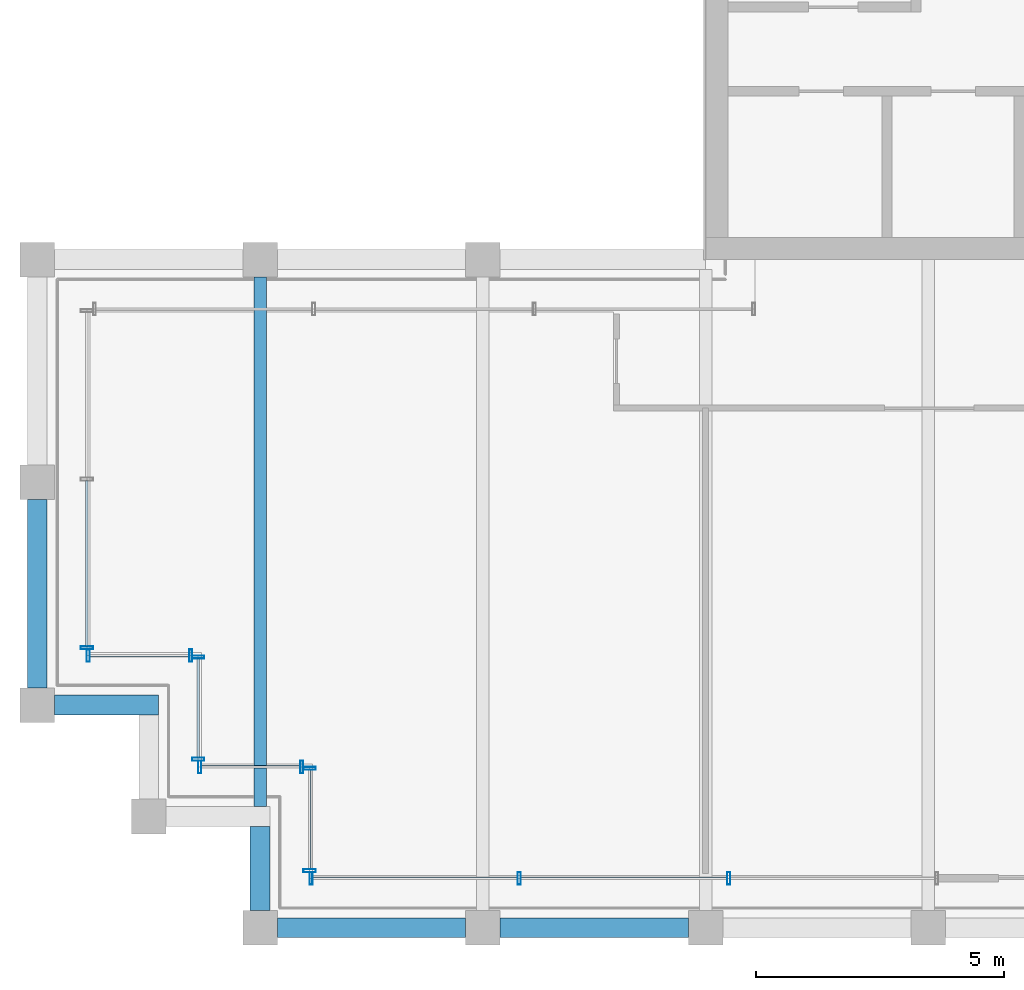
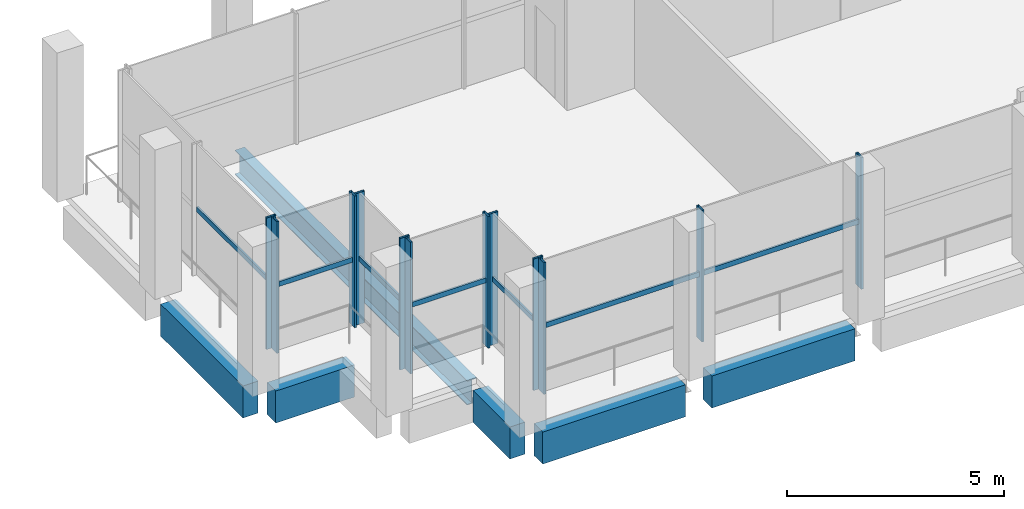
# One storey, part 2 of 17: 19 members, 6 beams, 6 elements without a shape of their own.
"""IFC4 building model written with IfcOpenShell, lengths in metres."""

from ifc_helpers import new_model, si_unit, direction, frame, origin, origin_2d, place, context, subcontext, project, spatial, rectangle, hollow_rectangle, i_section, extrude, material, material_profile, profile_set, type_object, element, aggregate, save


model = new_model("IFC4")

# Units and contexts
model_context = context("Model", 3, precision=1e-05, world=origin(), true_north=direction((0.0, 1.0)))
body_context = subcontext(model_context, "Body", "Model", "MODEL_VIEW")
ifc_project = project(units=[si_unit("LENGTHUNIT", "METRE"), si_unit("AREAUNIT", "SQUARE_METRE"), si_unit("VOLUMEUNIT", "CUBIC_METRE"), si_unit("PLANEANGLEUNIT", "RADIAN"), si_unit("MASSUNIT", "GRAM", prefix="KILO")], contexts=[model_context])

# Site, building, storey
site_placement = place(None, origin())
site = spatial("IfcSite", under=ifc_project, at=site_placement, CompositionType="ELEMENT")
building_placement = place(site_placement, origin())
building = spatial("IfcBuilding", under=site, at=building_placement, Name="Altepetl Exchange Towers", CompositionType="ELEMENT")
storey_placement = place(building_placement, frame((0.0, 0.0, 259.39990234375)))
storey = spatial("IfcBuildingStorey", under=building, at=storey_placement, Name="L66", CompositionType="ELEMENT", Elevation=259.39990234375)

# Beam
ifc_material_1 = material(Name="Steel S355", Category="steel")
ifc_material_profile_1 = material_profile(ifc_material_1, i_section(OverallWidth=0.25390625, OverallDepth=0.68408203125, WebThickness=0.012451171875, FlangeThickness=0.018798828125, at=origin_2d()), Name="W27X94")
ifc_profile_set_1 = profile_set([ifc_material_profile_1], Name="Steel S355")
beam_type_1 = type_object("IfcBeamType", Name="Floor beam W27X94", PredefinedType="BEAM", material=ifc_profile_set_1)
beam_1_placement = place(storey_placement, frame((31.5, 29.449951171875, -0.516845703125), z_axis=(0.0, 1.0, 0.0), x_axis=(-1.0, 0.0, 0.0)))
element("IfcBeam", 1, at=beam_1_placement, inside=storey, type_object=beam_type_1, Name="bm:A:L66:012", PredefinedType="BEAM", context=body_context, shape_type="SweptSolid", body=[
    extrude(i_section(OverallWidth=0.25390625, OverallDepth=0.68408203125, WebThickness=0.012451171875, FlangeThickness=0.018798828125, at=origin_2d()), origin(), (0.0, 0.0, 1.0), 10.699951171875),
])

# Curtain wall, member
ifc_material_2 = material(Name="Aluminium 6063-T6 glazing", Category="aluminium")
curtain_wall_type = type_object("IfcCurtainWallType", Name="Executive flush glazing system", PredefinedType="NOTDEFINED", material=ifc_material_2)
curtain_wall_1_placement = place(storey_placement, origin())
curtain_wall_1 = element("IfcCurtainWall", 2, at=curtain_wall_1_placement, inside=storey, type_object=curtain_wall_type, Name="CW4 run", PredefinedType="NOTDEFINED")
ifc_material_3 = material(Name="Aluminium 6063-T6", Category="aluminium")
ifc_material_profile_2 = material_profile(ifc_material_3, hollow_rectangle(XDim=0.06005859375, YDim=0.25, WallThickness=0.0029296875, at=origin_2d()), Name="Mullion 60x250 hollow aluminium")
ifc_profile_set_2 = profile_set([ifc_material_profile_2], Name="Aluminium 6063-T6")
member_type_1 = type_object("IfcMemberType", Name="Mullion 60x250 hollow aluminium", PredefinedType="MULLION", material=ifc_profile_set_2)
member_1_placement = place(storey_placement, frame((28.0, 32.655029296875, 0.0), z_axis=(0.0, 0.0, 1.0), x_axis=(0.0, -1.0, 0.0)))
member_1 = element("IfcMember", 3, at=member_1_placement, type_object=member_type_1, Name="MU3 mullion", PredefinedType="MULLION", context=body_context, shape_type="SweptSolid", body=[
    extrude(hollow_rectangle(XDim=0.06005859375, YDim=0.25, WallThickness=0.0029296875, at=origin_2d()), origin(), (0.0, 0.0, 1.0), 3.7001953125),
])

# Curtain wall, members
curtain_wall_2_placement = place(storey_placement, origin())
curtain_wall_2 = element("IfcCurtainWall", 4, at=curtain_wall_2_placement, inside=storey, type_object=curtain_wall_type, Name="CW4 run", PredefinedType="NOTDEFINED")
member_2_placement = place(storey_placement, frame((28.030029296875, 32.5, 0.0)))
member_2 = element("IfcMember", 5, at=member_2_placement, type_object=member_type_1, Name="MU3 mullion", PredefinedType="MULLION", context=body_context, shape_type="SweptSolid", body=[
    extrude(hollow_rectangle(XDim=0.06005859375, YDim=0.25, WallThickness=0.0029296875, at=origin_2d()), origin(), (0.0, 0.0, 1.0), 3.7001953125),
])
member_3_placement = place(storey_placement, frame((30.094970703125, 32.5, 0.0)))
member_3 = element("IfcMember", 6, at=member_3_placement, type_object=member_type_1, Name="MU3 mullion", PredefinedType="MULLION", context=body_context, shape_type="SweptSolid", body=[
    extrude(hollow_rectangle(XDim=0.06005859375, YDim=0.25, WallThickness=0.0029296875, at=origin_2d()), origin(), (0.0, 0.0, 1.0), 3.7001953125),
])

curtain_wall_3_placement = place(storey_placement, origin())
curtain_wall_3 = element("IfcCurtainWall", 7, at=curtain_wall_3_placement, inside=storey, type_object=curtain_wall_type, Name="CW4 run", PredefinedType="NOTDEFINED")
member_4_placement = place(storey_placement, frame((30.25, 32.469970703125, 0.0), z_axis=(0.0, 0.0, 1.0), x_axis=(0.0, -1.0, 0.0)))
member_4 = element("IfcMember", 8, at=member_4_placement, type_object=member_type_1, Name="MU3 mullion", PredefinedType="MULLION", context=body_context, shape_type="SweptSolid", body=[
    extrude(hollow_rectangle(XDim=0.06005859375, YDim=0.25, WallThickness=0.0029296875, at=origin_2d()), origin(), (0.0, 0.0, 1.0), 3.7001953125),
])
member_5_placement = place(storey_placement, frame((30.25, 30.405029296875, 0.0), z_axis=(0.0, 0.0, 1.0), x_axis=(0.0, -1.0, 0.0)))
member_5 = element("IfcMember", 9, at=member_5_placement, type_object=member_type_1, Name="MU3 mullion", PredefinedType="MULLION", context=body_context, shape_type="SweptSolid", body=[
    extrude(hollow_rectangle(XDim=0.06005859375, YDim=0.25, WallThickness=0.0029296875, at=origin_2d()), origin(), (0.0, 0.0, 1.0), 3.7001953125),
])

curtain_wall_4_placement = place(storey_placement, origin())
curtain_wall_4 = element("IfcCurtainWall", 10, at=curtain_wall_4_placement, inside=storey, type_object=curtain_wall_type, Name="CW4 run", PredefinedType="NOTDEFINED")
member_6_placement = place(storey_placement, frame((30.280029296875, 30.25, 0.0)))
member_6 = element("IfcMember", 11, at=member_6_placement, type_object=member_type_1, Name="MU3 mullion", PredefinedType="MULLION", context=body_context, shape_type="SweptSolid", body=[
    extrude(hollow_rectangle(XDim=0.06005859375, YDim=0.25, WallThickness=0.0029296875, at=origin_2d()), origin(), (0.0, 0.0, 1.0), 3.7001953125),
])
member_7_placement = place(storey_placement, frame((32.344970703125, 30.25, 0.0)))
member_7 = element("IfcMember", 12, at=member_7_placement, type_object=member_type_1, Name="MU3 mullion", PredefinedType="MULLION", context=body_context, shape_type="SweptSolid", body=[
    extrude(hollow_rectangle(XDim=0.06005859375, YDim=0.25, WallThickness=0.0029296875, at=origin_2d()), origin(), (0.0, 0.0, 1.0), 3.7001953125),
])

curtain_wall_5_placement = place(storey_placement, origin())
curtain_wall_5 = element("IfcCurtainWall", 13, at=curtain_wall_5_placement, inside=storey, type_object=curtain_wall_type, Name="CW4 run", PredefinedType="NOTDEFINED")
member_8_placement = place(storey_placement, frame((32.5, 30.219970703125, 0.0), z_axis=(0.0, 0.0, 1.0), x_axis=(0.0, -1.0, 0.0)))
member_8 = element("IfcMember", 14, at=member_8_placement, type_object=member_type_1, Name="MU3 mullion", PredefinedType="MULLION", context=body_context, shape_type="SweptSolid", body=[
    extrude(hollow_rectangle(XDim=0.06005859375, YDim=0.25, WallThickness=0.0029296875, at=origin_2d()), origin(), (0.0, 0.0, 1.0), 3.7001953125),
])
member_9_placement = place(storey_placement, frame((32.5, 28.155029296875, 0.0), z_axis=(0.0, 0.0, 1.0), x_axis=(0.0, -1.0, 0.0)))
member_9 = element("IfcMember", 15, at=member_9_placement, type_object=member_type_1, Name="MU3 mullion", PredefinedType="MULLION", context=body_context, shape_type="SweptSolid", body=[
    extrude(hollow_rectangle(XDim=0.06005859375, YDim=0.25, WallThickness=0.0029296875, at=origin_2d()), origin(), (0.0, 0.0, 1.0), 3.7001953125),
])

curtain_wall_6_placement = place(storey_placement, origin())
curtain_wall_6 = element("IfcCurtainWall", 16, at=curtain_wall_6_placement, inside=storey, type_object=curtain_wall_type, Name="CW4 run", PredefinedType="NOTDEFINED")
member_10_placement = place(storey_placement, frame((32.530029296875, 28.0, 0.0)))
member_10 = element("IfcMember", 17, at=member_10_placement, type_object=member_type_1, Name="MU3 mullion", PredefinedType="MULLION", context=body_context, shape_type="SweptSolid", body=[
    extrude(hollow_rectangle(XDim=0.06005859375, YDim=0.25, WallThickness=0.0029296875, at=origin_2d()), origin(), (0.0, 0.0, 1.0), 3.7001953125),
])
member_11_placement = place(storey_placement, frame((36.734375, 28.0, 0.0)))
member_11 = element("IfcMember", 18, at=member_11_placement, type_object=member_type_1, Name="MU3 mullion", PredefinedType="MULLION", context=body_context, shape_type="SweptSolid", body=[
    extrude(hollow_rectangle(XDim=0.06005859375, YDim=0.25, WallThickness=0.0029296875, at=origin_2d()), origin(), (0.0, 0.0, 1.0), 3.7001953125),
])
member_12_placement = place(storey_placement, frame((40.96875, 28.0, 0.0)))
member_12 = element("IfcMember", 19, at=member_12_placement, type_object=member_type_1, Name="MU3 mullion", PredefinedType="MULLION", context=body_context, shape_type="SweptSolid", body=[
    extrude(hollow_rectangle(XDim=0.06005859375, YDim=0.25, WallThickness=0.0029296875, at=origin_2d()), origin(), (0.0, 0.0, 1.0), 3.7001953125),
])

# Beams
ifc_material_4 = material(Name="Concrete C50/60 precast with cantera blanca facing", Category="concrete")
ifc_material_profile_3 = material_profile(ifc_material_4, rectangle(XDim=0.39990234375, YDim=0.89990234375, at=origin_2d()), Name="400 x 900")
ifc_profile_set_3 = profile_set([ifc_material_profile_3], Name="Concrete C50/60 precast with cantera blanca facing")
beam_type_2 = type_object("IfcBeamType", Name="Spandrel beam 400x900 cantera blanca", PredefinedType="SPANDREL", material=ifc_profile_set_3)
for number, where, z_axis, x_axis, name in (
    (20, (31.85009765625, 27.0, -0.625), (1.0, 0.0, 0.0), (0.0, 1.0, 0.0), "sp:A:L66:000"),
    (21, (36.35009765625, 27.0, -0.625), (1.0, 0.0, 0.0), (0.0, 1.0, 0.0), "sp:A:L66:001"),
    (22, (27.0, 35.64990234375, -0.625), (0.0, -1.0, 0.0), (1.0, 0.0, 0.0), "sp:A:L66:037"),
):
    element("IfcBeam", number, at=place(storey_placement, frame(where, z_axis=z_axis, x_axis=x_axis)), inside=storey, type_object=beam_type_2, Name=name, PredefinedType="SPANDREL", context=body_context, shape_type="SweptSolid", body=[
        extrude(rectangle(XDim=0.39990234375, YDim=0.89990234375, at=origin_2d()), origin(), (0.0, 0.0, 1.0), 3.7998046875),
    ])
beam_2_placement = place(storey_placement, frame((27.35009765625, 31.5, -0.625), z_axis=(1.0, 0.0, 0.0), x_axis=(0.0, 1.0, 0.0)))
element("IfcBeam", 23, at=beam_2_placement, inside=storey, type_object=beam_type_2, Name="sp:A:L66:038", PredefinedType="SPANDREL", context=body_context, shape_type="SweptSolid", body=[
    extrude(rectangle(XDim=0.39990234375, YDim=0.89990234375, at=origin_2d()), origin(), (0.0, 0.0, 1.0), 2.099853515625),
])
beam_3_placement = place(storey_placement, frame((31.5, 29.050048828125, -0.625), z_axis=(0.0, -1.0, 0.0), x_axis=(1.0, 0.0, 0.0)))
element("IfcBeam", 24, at=beam_3_placement, inside=storey, type_object=beam_type_2, Name="sp:A:L66:041", PredefinedType="SPANDREL", context=body_context, shape_type="SweptSolid", body=[
    extrude(rectangle(XDim=0.39990234375, YDim=0.89990234375, at=origin_2d()), origin(), (0.0, 0.0, 1.0), 1.699951171875),
])

# Member
ifc_material_profile_4 = material_profile(ifc_material_3, hollow_rectangle(XDim=0.050048828125, YDim=0.139892578125, WallThickness=0.0029296875, at=origin_2d()), Name="Transom 50x140 hollow aluminium")
ifc_profile_set_4 = profile_set([ifc_material_profile_4], Name="Aluminium 6063-T6")
member_type_2 = type_object("IfcMemberType", Name="Transom 50x140 hollow aluminium", PredefinedType="USERDEFINED", material=ifc_profile_set_4)
member_13_placement = place(storey_placement, frame((28.0, 36.032470703125, 1.85009765625), z_axis=(0.0, -1.0, 0.0), x_axis=(1.0, 0.0, 0.0)))
member_13 = element("IfcMember", 25, at=member_13_placement, type_object=member_type_2, Name="TR2 transom", ObjectType="TRANSOM", PredefinedType="USERDEFINED", context=body_context, shape_type="SweptSolid", body=[
    extrude(hollow_rectangle(XDim=0.050048828125, YDim=0.139892578125, WallThickness=0.0029296875, at=origin_2d()), origin(), (0.0, 0.0, 1.0), 3.347412109375),
])

aggregate(curtain_wall_1, [member_1, member_13])

member_14_placement = place(storey_placement, frame((28.06005859375, 32.5, 1.85009765625), z_axis=(1.0, 0.0, 0.0), x_axis=(0.0, 1.0, 0.0)))
member_14 = element("IfcMember", 26, at=member_14_placement, type_object=member_type_2, Name="TR2 transom", ObjectType="TRANSOM", PredefinedType="USERDEFINED", context=body_context, shape_type="SweptSolid", body=[
    extrude(hollow_rectangle(XDim=0.050048828125, YDim=0.139892578125, WallThickness=0.0029296875, at=origin_2d()), origin(), (0.0, 0.0, 1.0), 2.0048828125),
])

aggregate(curtain_wall_2, [member_2, member_3, member_14])

member_15_placement = place(storey_placement, frame((30.25, 32.43994140625, 1.85009765625), z_axis=(0.0, -1.0, 0.0), x_axis=(1.0, 0.0, 0.0)))
member_15 = element("IfcMember", 27, at=member_15_placement, type_object=member_type_2, Name="TR2 transom", ObjectType="TRANSOM", PredefinedType="USERDEFINED", context=body_context, shape_type="SweptSolid", body=[
    extrude(hollow_rectangle(XDim=0.050048828125, YDim=0.139892578125, WallThickness=0.0029296875, at=origin_2d()), origin(), (0.0, 0.0, 1.0), 2.0048828125),
])

aggregate(curtain_wall_3, [member_4, member_5, member_15])

member_16_placement = place(storey_placement, frame((30.31005859375, 30.25, 1.85009765625), z_axis=(1.0, 0.0, 0.0), x_axis=(0.0, 1.0, 0.0)))
member_16 = element("IfcMember", 28, at=member_16_placement, type_object=member_type_2, Name="TR2 transom", ObjectType="TRANSOM", PredefinedType="USERDEFINED", context=body_context, shape_type="SweptSolid", body=[
    extrude(hollow_rectangle(XDim=0.050048828125, YDim=0.139892578125, WallThickness=0.0029296875, at=origin_2d()), origin(), (0.0, 0.0, 1.0), 2.0048828125),
])

aggregate(curtain_wall_4, [member_6, member_7, member_16])

member_17_placement = place(storey_placement, frame((32.5, 30.18994140625, 1.85009765625), z_axis=(0.0, -1.0, 0.0), x_axis=(1.0, 0.0, 0.0)))
member_17 = element("IfcMember", 29, at=member_17_placement, type_object=member_type_2, Name="TR2 transom", ObjectType="TRANSOM", PredefinedType="USERDEFINED", context=body_context, shape_type="SweptSolid", body=[
    extrude(hollow_rectangle(XDim=0.050048828125, YDim=0.139892578125, WallThickness=0.0029296875, at=origin_2d()), origin(), (0.0, 0.0, 1.0), 2.0048828125),
])

aggregate(curtain_wall_5, [member_8, member_9, member_17])

member_18_placement = place(storey_placement, frame((32.56005859375, 28.0, 1.85009765625), z_axis=(1.0, 0.0, 0.0), x_axis=(0.0, 1.0, 0.0)))
member_18 = element("IfcMember", 30, at=member_18_placement, type_object=member_type_2, Name="TR2 transom", ObjectType="TRANSOM", PredefinedType="USERDEFINED", context=body_context, shape_type="SweptSolid", body=[
    extrude(hollow_rectangle(XDim=0.050048828125, YDim=0.139892578125, WallThickness=0.0029296875, at=origin_2d()), origin(), (0.0, 0.0, 1.0), 4.144287109375),
])

member_19_placement = place(storey_placement, frame((36.764404296875, 28.0, 1.85009765625), z_axis=(1.0, 0.0, 0.0), x_axis=(0.0, 1.0, 0.0)))
member_19 = element("IfcMember", 31, at=member_19_placement, type_object=member_type_2, Name="TR2 transom", ObjectType="TRANSOM", PredefinedType="USERDEFINED", context=body_context, shape_type="SweptSolid", body=[
    extrude(hollow_rectangle(XDim=0.050048828125, YDim=0.139892578125, WallThickness=0.0029296875, at=origin_2d()), origin(), (0.0, 0.0, 1.0), 4.17431640625),
])

aggregate(curtain_wall_6, [member_10, member_11, member_12, member_18, member_19])

save(model, "model.ifc")
